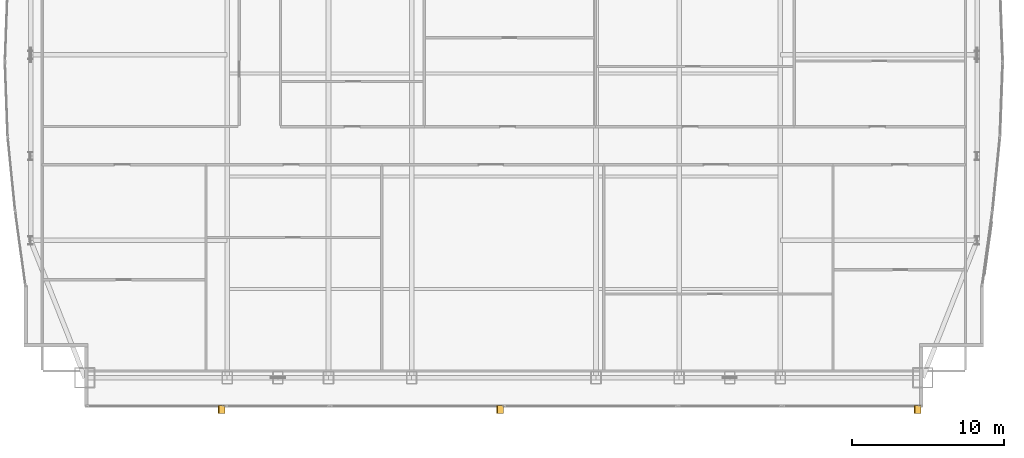
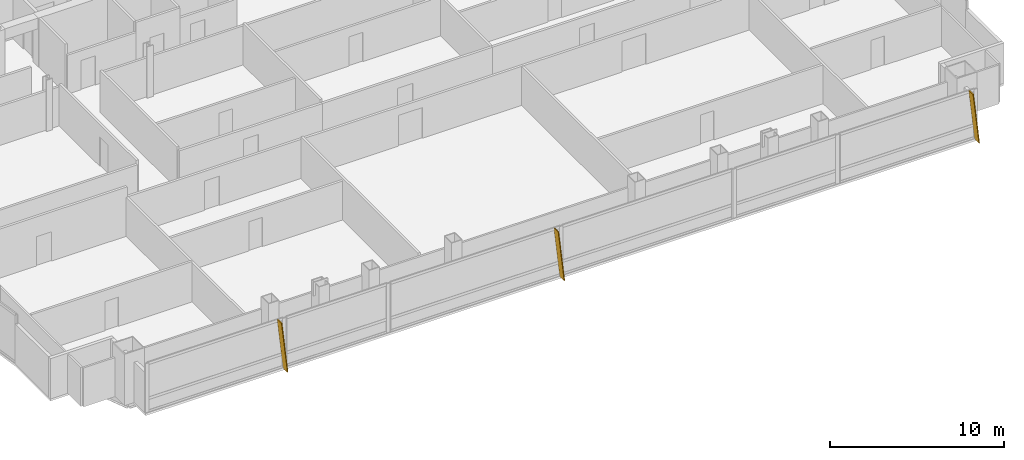
# One storey, part 28 of 29: 3 shading devices.
"""IFC4 building model written with IfcOpenShell, lengths in metres."""

from ifc_helpers import new_model, si_unit, direction, frame, origin, place, context, subcontext, project, spatial, polyline, outline, extrude, material, layer, layer_set, type_object, element, save


model = new_model("IFC4")

# Units and contexts
model_context = context("Model", 3, precision=1e-05, world=origin(), true_north=direction((0.0, 1.0)))
body_context = subcontext(model_context, "Body", "Model", "MODEL_VIEW")
ifc_project = project(units=[si_unit("LENGTHUNIT", "METRE"), si_unit("AREAUNIT", "SQUARE_METRE"), si_unit("VOLUMEUNIT", "CUBIC_METRE"), si_unit("PLANEANGLEUNIT", "RADIAN"), si_unit("MASSUNIT", "GRAM", prefix="KILO")], contexts=[model_context])

# Site, building, storey
site_placement = place(None, origin())
site = spatial("IfcSite", under=ifc_project, at=site_placement, CompositionType="ELEMENT")
building_placement = place(site_placement, origin())
building = spatial("IfcBuilding", under=site, at=building_placement, Name="Khoronbel Lancet Exchange", CompositionType="ELEMENT")
storey_placement = place(building_placement, frame((0.0, 0.0, 177.0)))
storey = spatial("IfcBuildingStorey", under=building, at=storey_placement, Name="L44", CompositionType="ELEMENT", Elevation=177.0)

# Shading devices
ifc_material = material(Name="Bronze-Anodised Aluminium 6063-T6", Category="aluminium")
ifc_layer = layer(ifc_material, 0.054931640625, Name="Bronze-Anodised Aluminium 6063-T6")
ifc_layer_set = layer_set([ifc_layer], Name="Bronze-Anodised Aluminium 6063-T6")
shading_device_type = type_object("IfcShadingDeviceType", Name="SHD-FIN1", PredefinedType="USERDEFINED", material=ifc_layer_set)
for number, where, z_axis, x_axis, name in (
    (1, (18.072509765625, 8.31005859375, -0.080078125), (0.993900347655, 0.0, 0.110281906632), (0.0, -1.0, 0.0), "Slanted bronze solar fin CW-L44-SWV-1"),
    (2, (36.422607421875, 8.31005859375, -0.080078125), (0.993900347655, 0.0, 0.110281906632), (0.0, -1.0, 0.0), "Slanted bronze solar fin CW-L44-SCV-1"),
    (3, (63.9326171875, 8.31005859375, -0.080078125), (0.993900347655, 0.0, 0.110281906632), (0.0, -1.0, 0.0), "Slanted bronze solar fin CW-L44-SEV-1"),
):
    element("IfcShadingDevice", number, at=place(storey_placement, frame(where, z_axis=z_axis, x_axis=x_axis)), inside=storey, type_object=shading_device_type, Name=name, ObjectType="FIN", PredefinedType="USERDEFINED", context=body_context, shape_type="SweptSolid", body=[
        extrude(outline(polyline([(0.0, 0.0), (0.52001953125, 0.0), (0.52001953125, -3.581787109375), (0.0, -3.581787109375), (0.0, 0.0)])), origin(), (0.0, 0.0, -1.0), 0.054931640625),
    ])

save(model, "model.ifc")
